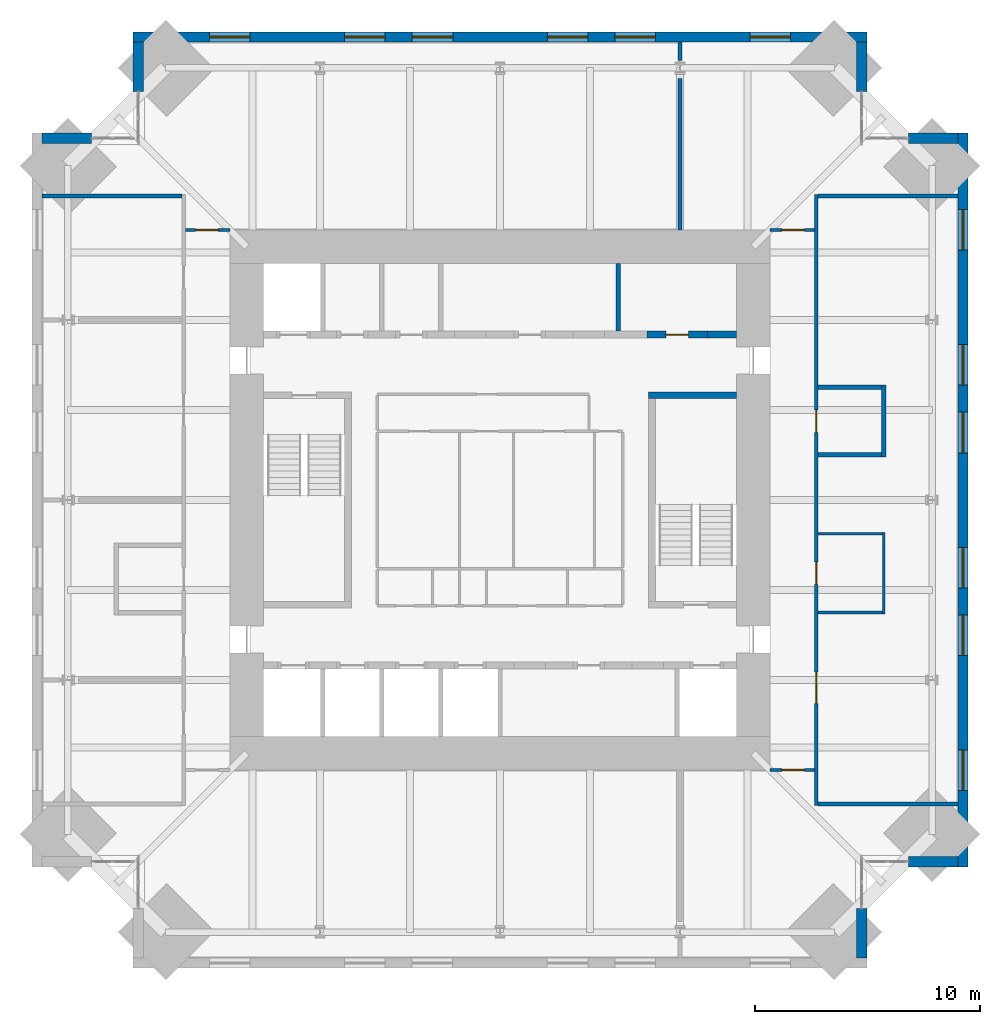
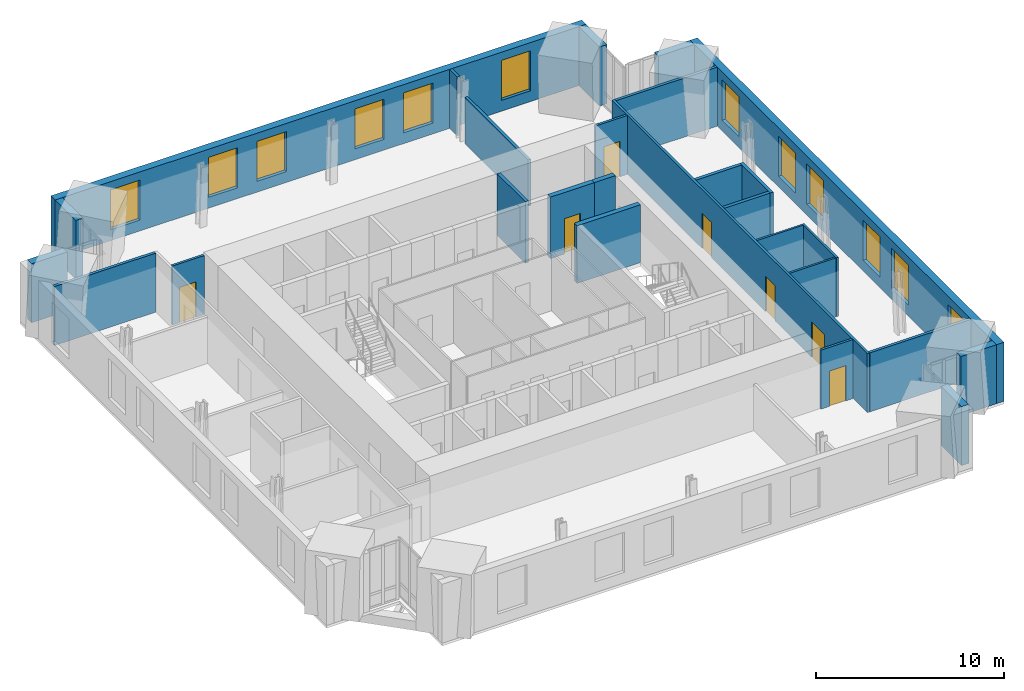
# One storey, part 13 of 15: 27 walls, 12 windows, 7 doors, 19 openings.
"""IFC4 building model written with IfcOpenShell, lengths in metres."""

from ifc_helpers import new_model, si_unit, direction, frame, frame_2d, origin, place, context, subcontext, project, spatial, rectangle, extrude, material, layer, layer_set, type_object, element, fill, save


model = new_model("IFC4")

# Units and contexts
model_context = context("Model", 3, precision=1e-05, world=origin(), true_north=direction((0.0, 1.0)))
body_context = subcontext(model_context, "Body", "Model", "MODEL_VIEW")
ifc_project = project(units=[si_unit("LENGTHUNIT", "METRE"), si_unit("AREAUNIT", "SQUARE_METRE"), si_unit("VOLUMEUNIT", "CUBIC_METRE"), si_unit("PLANEANGLEUNIT", "RADIAN"), si_unit("MASSUNIT", "GRAM", prefix="KILO")], contexts=[model_context])

# Site, building, storey
site_placement = place(None, origin())
site = spatial("IfcSite", under=ifc_project, at=site_placement, CompositionType="ELEMENT")
building_placement = place(site_placement, origin())
building = spatial("IfcBuilding", under=site, at=building_placement, Name="Peilmerk Tower", CompositionType="ELEMENT")
storey_placement = place(building_placement, frame((0.0, 0.0, 289.800048828125)))
storey = spatial("IfcBuildingStorey", under=building, at=storey_placement, Name="L65", CompositionType="ELEMENT", Elevation=289.800048828125)

# Wall, openings, windows
ifc_material_1 = material(Name="Precast concrete C45/55, board-marked finish", Category="concrete")
ifc_layer_1 = layer(ifc_material_1, 0.449951171875)
ifc_layer_set_1 = layer_set([ifc_layer_1], Name="Precast concrete C45/55, board-marked finish")
wall_type_1 = type_object("IfcWallType", Name="EW1 450 precast concrete facade wall, board-marked", PredefinedType="SOLIDWALL", material=ifc_layer_set_1)
wall_1_placement = place(storey_placement, frame((16.300048828125, 20.574951171875, 0.0), z_axis=(0.0, 0.0, 1.0), x_axis=(-1.0, 0.0, 0.0)))
wall_1 = element("IfcWall", 1, at=wall_1_placement, inside=storey, type_object=wall_type_1, Name="Facade wall N L65", PredefinedType="SOLIDWALL", context=body_context, shape_type="SweptSolid", body=[
    extrude(rectangle(XDim=32.60009765625, YDim=0.449951171875, at=frame_2d((16.300048828125, 0.0))), origin(), (0.0, 0.0, 1.0), 3.829833984375),
])
opening_1_placement = place(wall_1_placement, frame((3.39990234375, 0.0, 0.699951171875)))
opening_1 = element("IfcOpeningElement", 2, at=opening_1_placement, cuts=wall_1, Name="Opening W1", PredefinedType="OPENING", context=body_context, shape_type="SweptSolid", body=[
    extrude(rectangle(XDim=1.800048828125, YDim=2.60009765625, at=frame_2d((0.89990234375, 1.300048828125))), frame((0.0, 0.23486328125, 0.0), z_axis=(0.0, -1.0, 0.0), x_axis=(1.0, 0.0, 0.0)), (0.0, 0.0, 1.0), 0.469970703125),
])
opening_2_placement = place(wall_1_placement, frame((9.39990234375, 0.0, 0.699951171875)))
opening_2 = element("IfcOpeningElement", 3, at=opening_2_placement, cuts=wall_1, Name="Opening W1", PredefinedType="OPENING", context=body_context, shape_type="SweptSolid", body=[
    extrude(rectangle(XDim=1.800048828125, YDim=2.60009765625, at=frame_2d((0.89990234375, 1.300048828125))), frame((0.0, 0.23486328125, 0.0), z_axis=(0.0, -1.0, 0.0), x_axis=(1.0, 0.0, 0.0)), (0.0, 0.0, 1.0), 0.469970703125),
])
opening_3_placement = place(wall_1_placement, frame((12.39990234375, 0.0, 0.699951171875)))
opening_3 = element("IfcOpeningElement", 4, at=opening_3_placement, cuts=wall_1, Name="Opening W1", PredefinedType="OPENING", context=body_context, shape_type="SweptSolid", body=[
    extrude(rectangle(XDim=1.800048828125, YDim=2.60009765625, at=frame_2d((0.89990234375, 1.300048828125))), frame((0.0, 0.23486328125, 0.0), z_axis=(0.0, -1.0, 0.0), x_axis=(1.0, 0.0, 0.0)), (0.0, 0.0, 1.0), 0.469970703125),
])
opening_4_placement = place(wall_1_placement, frame((18.39990234375, 0.0, 0.699951171875)))
opening_4 = element("IfcOpeningElement", 5, at=opening_4_placement, cuts=wall_1, Name="Opening W1", PredefinedType="OPENING", context=body_context, shape_type="SweptSolid", body=[
    extrude(rectangle(XDim=1.800048828125, YDim=2.60009765625, at=frame_2d((0.89990234375, 1.300048828125))), frame((0.0, 0.23486328125, 0.0), z_axis=(0.0, -1.0, 0.0), x_axis=(1.0, 0.0, 0.0)), (0.0, 0.0, 1.0), 0.469970703125),
])
opening_5_placement = place(wall_1_placement, frame((21.39990234375, 0.0, 0.699951171875)))
opening_5 = element("IfcOpeningElement", 6, at=opening_5_placement, cuts=wall_1, Name="Opening W1", PredefinedType="OPENING", context=body_context, shape_type="SweptSolid", body=[
    extrude(rectangle(XDim=1.800048828125, YDim=2.60009765625, at=frame_2d((0.89990234375, 1.300048828125))), frame((0.0, 0.23486328125, 0.0), z_axis=(0.0, -1.0, 0.0), x_axis=(1.0, 0.0, 0.0)), (0.0, 0.0, 1.0), 0.469970703125),
])
opening_6_placement = place(wall_1_placement, frame((27.39990234375, 0.0, 0.699951171875)))
opening_6 = element("IfcOpeningElement", 7, at=opening_6_placement, cuts=wall_1, Name="Opening W1", PredefinedType="OPENING", context=body_context, shape_type="SweptSolid", body=[
    extrude(rectangle(XDim=1.800048828125, YDim=2.60009765625, at=frame_2d((0.89990234375, 1.300048828125))), frame((0.0, 0.23486328125, 0.0), z_axis=(0.0, -1.0, 0.0), x_axis=(1.0, 0.0, 0.0)), (0.0, 0.0, 1.0), 0.469970703125),
])
ifc_material_2 = material(Name="Aluminium frame, clear double glazing", Category="aluminium")
window_type = type_object("IfcWindowType", Name="W1 1800x2600 office window", PartitioningType="SINGLE_PANEL", PredefinedType="WINDOW", material=ifc_material_2)
window_1_placement = place(opening_1_placement, origin())
window_1 = element("IfcWindow", 8, at=window_1_placement, inside=storey, type_object=window_type, Name="Window W1 L65", OverallHeight=2.60009765625, OverallWidth=1.800048828125, PartitioningType="SINGLE_PANEL", PredefinedType="WINDOW", context=body_context, shape_type="SweptSolid", body=[
    extrude(rectangle(XDim=1.800048828125, YDim=2.60009765625, at=frame_2d((0.89990234375, 1.300048828125))), frame((0.0, 0.030029296875, 0.0), z_axis=(0.0, -1.0, 0.0), x_axis=(1.0, 0.0, 0.0)), (0.0, 0.0, 1.0), 0.06005859375),
])
fill(opening_1, window_1)
window_2_placement = place(opening_2_placement, origin())
window_2 = element("IfcWindow", 9, at=window_2_placement, inside=storey, type_object=window_type, Name="Window W1 L65", OverallHeight=2.60009765625, OverallWidth=1.800048828125, PartitioningType="SINGLE_PANEL", PredefinedType="WINDOW", context=body_context, shape_type="SweptSolid", body=[
    extrude(rectangle(XDim=1.800048828125, YDim=2.60009765625, at=frame_2d((0.89990234375, 1.300048828125))), frame((0.0, 0.030029296875, 0.0), z_axis=(0.0, -1.0, 0.0), x_axis=(1.0, 0.0, 0.0)), (0.0, 0.0, 1.0), 0.06005859375),
])
fill(opening_2, window_2)
window_3_placement = place(opening_3_placement, origin())
window_3 = element("IfcWindow", 10, at=window_3_placement, inside=storey, type_object=window_type, Name="Window W1 L65", OverallHeight=2.60009765625, OverallWidth=1.800048828125, PartitioningType="SINGLE_PANEL", PredefinedType="WINDOW", context=body_context, shape_type="SweptSolid", body=[
    extrude(rectangle(XDim=1.800048828125, YDim=2.60009765625, at=frame_2d((0.89990234375, 1.300048828125))), frame((0.0, 0.030029296875, 0.0), z_axis=(0.0, -1.0, 0.0), x_axis=(1.0, 0.0, 0.0)), (0.0, 0.0, 1.0), 0.06005859375),
])
fill(opening_3, window_3)
window_4_placement = place(opening_4_placement, origin())
window_4 = element("IfcWindow", 11, at=window_4_placement, inside=storey, type_object=window_type, Name="Window W1 L65", OverallHeight=2.60009765625, OverallWidth=1.800048828125, PartitioningType="SINGLE_PANEL", PredefinedType="WINDOW", context=body_context, shape_type="SweptSolid", body=[
    extrude(rectangle(XDim=1.800048828125, YDim=2.60009765625, at=frame_2d((0.89990234375, 1.300048828125))), frame((0.0, 0.030029296875, 0.0), z_axis=(0.0, -1.0, 0.0), x_axis=(1.0, 0.0, 0.0)), (0.0, 0.0, 1.0), 0.06005859375),
])
fill(opening_4, window_4)
window_5_placement = place(opening_5_placement, origin())
window_5 = element("IfcWindow", 12, at=window_5_placement, inside=storey, type_object=window_type, Name="Window W1 L65", OverallHeight=2.60009765625, OverallWidth=1.800048828125, PartitioningType="SINGLE_PANEL", PredefinedType="WINDOW", context=body_context, shape_type="SweptSolid", body=[
    extrude(rectangle(XDim=1.800048828125, YDim=2.60009765625, at=frame_2d((0.89990234375, 1.300048828125))), frame((0.0, 0.030029296875, 0.0), z_axis=(0.0, -1.0, 0.0), x_axis=(1.0, 0.0, 0.0)), (0.0, 0.0, 1.0), 0.06005859375),
])
fill(opening_5, window_5)
window_6_placement = place(opening_6_placement, origin())
window_6 = element("IfcWindow", 13, at=window_6_placement, inside=storey, type_object=window_type, Name="Window W1 L65", OverallHeight=2.60009765625, OverallWidth=1.800048828125, PartitioningType="SINGLE_PANEL", PredefinedType="WINDOW", context=body_context, shape_type="SweptSolid", body=[
    extrude(rectangle(XDim=1.800048828125, YDim=2.60009765625, at=frame_2d((0.89990234375, 1.300048828125))), frame((0.0, 0.030029296875, 0.0), z_axis=(0.0, -1.0, 0.0), x_axis=(1.0, 0.0, 0.0)), (0.0, 0.0, 1.0), 0.06005859375),
])
fill(opening_6, window_6)

wall_2_placement = place(storey_placement, frame((20.574951171875, -16.300048828125, 0.0), z_axis=(0.0, 0.0, 1.0), x_axis=(0.0, 1.0, 0.0)))
wall_2 = element("IfcWall", 14, at=wall_2_placement, inside=storey, type_object=wall_type_1, Name="Facade wall E L65", PredefinedType="SOLIDWALL", context=body_context, shape_type="SweptSolid", body=[
    extrude(rectangle(XDim=32.60009765625, YDim=0.449951171875, at=frame_2d((16.300048828125, 0.0))), origin(), (0.0, 0.0, 1.0), 3.829833984375),
])
opening_7_placement = place(wall_2_placement, frame((3.39990234375, 0.0, 0.699951171875)))
opening_7 = element("IfcOpeningElement", 15, at=opening_7_placement, cuts=wall_2, Name="Opening W1", PredefinedType="OPENING", context=body_context, shape_type="SweptSolid", body=[
    extrude(rectangle(XDim=1.800048828125, YDim=2.60009765625, at=frame_2d((0.89990234375, 1.300048828125))), frame((0.0, 0.23486328125, 0.0), z_axis=(0.0, -1.0, 0.0), x_axis=(1.0, 0.0, 0.0)), (0.0, 0.0, 1.0), 0.469970703125),
])
opening_8_placement = place(wall_2_placement, frame((9.39990234375, 0.0, 0.699951171875)))
opening_8 = element("IfcOpeningElement", 16, at=opening_8_placement, cuts=wall_2, Name="Opening W1", PredefinedType="OPENING", context=body_context, shape_type="SweptSolid", body=[
    extrude(rectangle(XDim=1.800048828125, YDim=2.60009765625, at=frame_2d((0.89990234375, 1.300048828125))), frame((0.0, 0.23486328125, 0.0), z_axis=(0.0, -1.0, 0.0), x_axis=(1.0, 0.0, 0.0)), (0.0, 0.0, 1.0), 0.469970703125),
])
opening_9_placement = place(wall_2_placement, frame((12.39990234375, 0.0, 0.699951171875)))
opening_9 = element("IfcOpeningElement", 17, at=opening_9_placement, cuts=wall_2, Name="Opening W1", PredefinedType="OPENING", context=body_context, shape_type="SweptSolid", body=[
    extrude(rectangle(XDim=1.800048828125, YDim=2.60009765625, at=frame_2d((0.89990234375, 1.300048828125))), frame((0.0, 0.23486328125, 0.0), z_axis=(0.0, -1.0, 0.0), x_axis=(1.0, 0.0, 0.0)), (0.0, 0.0, 1.0), 0.469970703125),
])
opening_10_placement = place(wall_2_placement, frame((18.39990234375, 0.0, 0.699951171875)))
opening_10 = element("IfcOpeningElement", 18, at=opening_10_placement, cuts=wall_2, Name="Opening W1", PredefinedType="OPENING", context=body_context, shape_type="SweptSolid", body=[
    extrude(rectangle(XDim=1.800048828125, YDim=2.60009765625, at=frame_2d((0.89990234375, 1.300048828125))), frame((0.0, 0.23486328125, 0.0), z_axis=(0.0, -1.0, 0.0), x_axis=(1.0, 0.0, 0.0)), (0.0, 0.0, 1.0), 0.469970703125),
])
opening_11_placement = place(wall_2_placement, frame((21.39990234375, 0.0, 0.699951171875)))
opening_11 = element("IfcOpeningElement", 19, at=opening_11_placement, cuts=wall_2, Name="Opening W1", PredefinedType="OPENING", context=body_context, shape_type="SweptSolid", body=[
    extrude(rectangle(XDim=1.800048828125, YDim=2.60009765625, at=frame_2d((0.89990234375, 1.300048828125))), frame((0.0, 0.23486328125, 0.0), z_axis=(0.0, -1.0, 0.0), x_axis=(1.0, 0.0, 0.0)), (0.0, 0.0, 1.0), 0.469970703125),
])
opening_12_placement = place(wall_2_placement, frame((27.39990234375, 0.0, 0.699951171875)))
opening_12 = element("IfcOpeningElement", 20, at=opening_12_placement, cuts=wall_2, Name="Opening W1", PredefinedType="OPENING", context=body_context, shape_type="SweptSolid", body=[
    extrude(rectangle(XDim=1.800048828125, YDim=2.60009765625, at=frame_2d((0.89990234375, 1.300048828125))), frame((0.0, 0.23486328125, 0.0), z_axis=(0.0, -1.0, 0.0), x_axis=(1.0, 0.0, 0.0)), (0.0, 0.0, 1.0), 0.469970703125),
])
window_7_placement = place(opening_7_placement, origin())
window_7 = element("IfcWindow", 21, at=window_7_placement, inside=storey, type_object=window_type, Name="Window W1 L65", OverallHeight=2.60009765625, OverallWidth=1.800048828125, PartitioningType="SINGLE_PANEL", PredefinedType="WINDOW", context=body_context, shape_type="SweptSolid", body=[
    extrude(rectangle(XDim=1.800048828125, YDim=2.60009765625, at=frame_2d((0.89990234375, 1.300048828125))), frame((0.0, 0.030029296875, 0.0), z_axis=(0.0, -1.0, 0.0), x_axis=(1.0, 0.0, 0.0)), (0.0, 0.0, 1.0), 0.06005859375),
])
fill(opening_7, window_7)
window_8_placement = place(opening_8_placement, origin())
window_8 = element("IfcWindow", 22, at=window_8_placement, inside=storey, type_object=window_type, Name="Window W1 L65", OverallHeight=2.60009765625, OverallWidth=1.800048828125, PartitioningType="SINGLE_PANEL", PredefinedType="WINDOW", context=body_context, shape_type="SweptSolid", body=[
    extrude(rectangle(XDim=1.800048828125, YDim=2.60009765625, at=frame_2d((0.89990234375, 1.300048828125))), frame((0.0, 0.030029296875, 0.0), z_axis=(0.0, -1.0, 0.0), x_axis=(1.0, 0.0, 0.0)), (0.0, 0.0, 1.0), 0.06005859375),
])
fill(opening_8, window_8)
window_9_placement = place(opening_9_placement, origin())
window_9 = element("IfcWindow", 23, at=window_9_placement, inside=storey, type_object=window_type, Name="Window W1 L65", OverallHeight=2.60009765625, OverallWidth=1.800048828125, PartitioningType="SINGLE_PANEL", PredefinedType="WINDOW", context=body_context, shape_type="SweptSolid", body=[
    extrude(rectangle(XDim=1.800048828125, YDim=2.60009765625, at=frame_2d((0.89990234375, 1.300048828125))), frame((0.0, 0.030029296875, 0.0), z_axis=(0.0, -1.0, 0.0), x_axis=(1.0, 0.0, 0.0)), (0.0, 0.0, 1.0), 0.06005859375),
])
fill(opening_9, window_9)
window_10_placement = place(opening_10_placement, origin())
window_10 = element("IfcWindow", 24, at=window_10_placement, inside=storey, type_object=window_type, Name="Window W1 L65", OverallHeight=2.60009765625, OverallWidth=1.800048828125, PartitioningType="SINGLE_PANEL", PredefinedType="WINDOW", context=body_context, shape_type="SweptSolid", body=[
    extrude(rectangle(XDim=1.800048828125, YDim=2.60009765625, at=frame_2d((0.89990234375, 1.300048828125))), frame((0.0, 0.030029296875, 0.0), z_axis=(0.0, -1.0, 0.0), x_axis=(1.0, 0.0, 0.0)), (0.0, 0.0, 1.0), 0.06005859375),
])
fill(opening_10, window_10)
window_11_placement = place(opening_11_placement, origin())
window_11 = element("IfcWindow", 25, at=window_11_placement, inside=storey, type_object=window_type, Name="Window W1 L65", OverallHeight=2.60009765625, OverallWidth=1.800048828125, PartitioningType="SINGLE_PANEL", PredefinedType="WINDOW", context=body_context, shape_type="SweptSolid", body=[
    extrude(rectangle(XDim=1.800048828125, YDim=2.60009765625, at=frame_2d((0.89990234375, 1.300048828125))), frame((0.0, 0.030029296875, 0.0), z_axis=(0.0, -1.0, 0.0), x_axis=(1.0, 0.0, 0.0)), (0.0, 0.0, 1.0), 0.06005859375),
])
fill(opening_11, window_11)
window_12_placement = place(opening_12_placement, origin())
window_12 = element("IfcWindow", 26, at=window_12_placement, inside=storey, type_object=window_type, Name="Window W1 L65", OverallHeight=2.60009765625, OverallWidth=1.800048828125, PartitioningType="SINGLE_PANEL", PredefinedType="WINDOW", context=body_context, shape_type="SweptSolid", body=[
    extrude(rectangle(XDim=1.800048828125, YDim=2.60009765625, at=frame_2d((0.89990234375, 1.300048828125))), frame((0.0, 0.030029296875, 0.0), z_axis=(0.0, -1.0, 0.0), x_axis=(1.0, 0.0, 0.0)), (0.0, 0.0, 1.0), 0.06005859375),
])
fill(opening_12, window_12)

# Walls
for number, where, z_axis, x_axis, name in (
    (27, (16.074951171875, 18.153564453125, 0.0), (0.0, 0.0, 1.0), (0.0, 1.0, 0.0), "Facade wall NEA L65"),
    (28, (18.153564453125, 16.074951171875, 0.0), (0.0, 0.0, 1.0), (1.0, 0.0, 0.0), "Facade wall NEB L65"),
    (29, (16.074951171875, -18.153564453125, 0.0), (0.0, 0.0, 1.0), (0.0, -1.0, 0.0), "Facade wall SEA L65"),
    (30, (18.153564453125, -16.074951171875, 0.0), (0.0, 0.0, 1.0), (1.0, 0.0, 0.0), "Facade wall SEB L65"),
    (31, (-16.074951171875, 18.153564453125, 0.0), (0.0, 0.0, 1.0), (0.0, 1.0, 0.0), "Facade wall NWA L65"),
    (32, (-18.153564453125, 16.074951171875, 0.0), (0.0, 0.0, 1.0), (-1.0, 0.0, 0.0), "Facade wall NWB L65"),
):
    element("IfcWall", number, at=place(storey_placement, frame(where, z_axis=z_axis, x_axis=x_axis)), inside=storey, type_object=wall_type_1, Name=name, PredefinedType="SOLIDWALL", context=body_context, shape_type="SweptSolid", body=[
        extrude(rectangle(XDim=2.196533203125, YDim=0.449951171875, at=frame_2d((1.09814453125, 0.0))), origin(), (0.0, 0.0, 1.0), 3.829833984375),
    ])

# Wall, openings, doors
ifc_material_3 = material(Name="Calcium silicate block", Category="masonry")
ifc_layer_2 = layer(ifc_material_3, 0.14990234375)
ifc_layer_set_2 = layer_set([ifc_layer_2], Name="Calcium silicate block")
wall_type_2 = type_object("IfcWallType", Name="IW1 150 corridor partition, EI 60", PredefinedType="PARTITIONING", material=ifc_layer_set_2)
wall_3_placement = place(storey_placement, frame((14.050048828125, -13.574951171875, 0.0), z_axis=(0.0, 0.0, 1.0), x_axis=(0.0, 1.0, 0.0)))
wall_3 = element("IfcWall", 33, at=wall_3_placement, inside=storey, type_object=wall_type_2, Name="Corridor wall E L65", PredefinedType="PARTITIONING", context=body_context, shape_type="SweptSolid", body=[
    extrude(rectangle(XDim=27.14990234375, YDim=0.14990234375, at=frame_2d((13.574951171875, 0.0))), origin(), (0.0, 0.0, 1.0), 3.829833984375),
])
opening_13_placement = place(wall_3_placement, frame((4.52490234375, 0.0, 0.0)))
opening_13 = element("IfcOpeningElement", 34, at=opening_13_placement, cuts=wall_3, Name="Opening D8", PredefinedType="OPENING", context=body_context, shape_type="SweptSolid", body=[
    extrude(rectangle(XDim=1.39990234375, YDim=2.300048828125, at=frame_2d((0.699951171875, 1.14990234375))), frame((0.0, 0.0849609375, 0.0), z_axis=(0.0, -1.0, 0.0), x_axis=(1.0, 0.0, 0.0)), (0.0, 0.0, 1.0), 0.169921875),
])
opening_14_placement = place(wall_3_placement, frame((9.824951171875, 0.0, 0.0)))
opening_14 = element("IfcOpeningElement", 35, at=opening_14_placement, cuts=wall_3, Name="Opening D1", PredefinedType="OPENING", context=body_context, shape_type="SweptSolid", body=[
    extrude(rectangle(XDim=1.0, YDim=2.300048828125, at=frame_2d((0.5, 1.14990234375))), frame((0.0, 0.0849609375, 0.0), z_axis=(0.0, -1.0, 0.0), x_axis=(1.0, 0.0, 0.0)), (0.0, 0.0, 1.0), 0.169921875),
])
opening_15_placement = place(wall_3_placement, frame((16.574951171875, 0.0, 0.0)))
opening_15 = element("IfcOpeningElement", 36, at=opening_15_placement, cuts=wall_3, Name="Opening D1", PredefinedType="OPENING", context=body_context, shape_type="SweptSolid", body=[
    extrude(rectangle(XDim=1.0, YDim=2.300048828125, at=frame_2d((0.5, 1.14990234375))), frame((0.0, 0.0849609375, 0.0), z_axis=(0.0, -1.0, 0.0), x_axis=(1.0, 0.0, 0.0)), (0.0, 0.0, 1.0), 0.169921875),
])
ifc_material_4 = material(Name="Timber door in steel frame", Category="steel")
door_type_1 = type_object("IfcDoorType", Name="D1 1000x2300 room door, EI2 30", OperationType="SINGLE_SWING_LEFT", PredefinedType="DOOR", material=ifc_material_4)
door_1_placement = place(opening_14_placement, frame((1.0, 0.0, 0.0), z_axis=(0.0, 0.0, 1.0), x_axis=(-1.0, 0.0, 0.0)))
door_1 = element("IfcDoor", 37, at=door_1_placement, inside=storey, type_object=door_type_1, Name="Door Pantry L65", OperationType="SINGLE_SWING_LEFT", OverallHeight=2.300048828125, OverallWidth=1.0, PredefinedType="DOOR", context=body_context, shape_type="SweptSolid", body=[
    extrude(rectangle(XDim=1.0, YDim=2.300048828125, at=frame_2d((0.5, 1.14990234375))), frame((0.0, 0.02490234375, 0.0), z_axis=(0.0, -1.0, 0.0), x_axis=(1.0, 0.0, 0.0)), (0.0, 0.0, 1.0), 0.050048828125),
])
fill(opening_14, door_1)
door_2_placement = place(opening_15_placement, frame((1.0, 0.0, 0.0), z_axis=(0.0, 0.0, 1.0), x_axis=(-1.0, 0.0, 0.0)))
door_2 = element("IfcDoor", 38, at=door_2_placement, inside=storey, type_object=door_type_1, Name="Door AV control room L65", OperationType="SINGLE_SWING_LEFT", OverallHeight=2.300048828125, OverallWidth=1.0, PredefinedType="DOOR", context=body_context, shape_type="SweptSolid", body=[
    extrude(rectangle(XDim=1.0, YDim=2.300048828125, at=frame_2d((0.5, 1.14990234375))), frame((0.0, 0.02490234375, 0.0), z_axis=(0.0, -1.0, 0.0), x_axis=(1.0, 0.0, 0.0)), (0.0, 0.0, 1.0), 0.050048828125),
])
fill(opening_15, door_2)
door_type_2 = type_object("IfcDoorType", Name="D8 1400x2300 leaf-and-a-half door, EI2 30", OperationType="DOUBLE_DOOR_SINGLE_SWING", PredefinedType="DOOR", material=ifc_material_4)
door_3_placement = place(opening_13_placement, frame((1.39990234375, 0.0, 0.0), z_axis=(0.0, 0.0, 1.0), x_axis=(-1.0, 0.0, 0.0)))
door_3 = element("IfcDoor", 39, at=door_3_placement, inside=storey, type_object=door_type_2, Name="Door Client suite L65", OperationType="DOUBLE_DOOR_SINGLE_SWING", OverallHeight=2.300048828125, OverallWidth=1.39990234375, PredefinedType="DOOR", context=body_context, shape_type="SweptSolid", body=[
    extrude(rectangle(XDim=1.39990234375, YDim=2.300048828125, at=frame_2d((0.699951171875, 1.14990234375))), frame((0.0, 0.02490234375, 0.0), z_axis=(0.0, -1.0, 0.0), x_axis=(1.0, 0.0, 0.0)), (0.0, 0.0, 1.0), 0.050048828125),
])
fill(opening_13, door_3)

# Wall, opening, door
wall_4_placement = place(storey_placement, frame((12.0, 12.0, 0.0), z_axis=(0.0, 0.0, 1.0), x_axis=(1.0, 0.0, 0.0)))
wall_4 = element("IfcWall", 40, at=wall_4_placement, inside=storey, type_object=wall_type_2, Name="Corridor wall NE L65", PredefinedType="PARTITIONING", context=body_context, shape_type="SweptSolid", body=[
    extrude(rectangle(XDim=1.97509765625, YDim=0.14990234375, at=frame_2d((0.987548828125, 0.0))), origin(), (0.0, 0.0, 1.0), 3.829833984375),
])
opening_16_placement = place(wall_4_placement, frame((0.52490234375, 0.0, 0.0)))
opening_16 = element("IfcOpeningElement", 41, at=opening_16_placement, cuts=wall_4, Name="Opening D1", PredefinedType="OPENING", context=body_context, shape_type="SweptSolid", body=[
    extrude(rectangle(XDim=1.0, YDim=2.300048828125, at=frame_2d((0.5, 1.14990234375))), frame((0.0, 0.0849609375, 0.0), z_axis=(0.0, -1.0, 0.0), x_axis=(1.0, 0.0, 0.0)), (0.0, 0.0, 1.0), 0.169921875),
])
door_4_placement = place(opening_16_placement, origin())
door_4 = element("IfcDoor", 42, at=door_4_placement, inside=storey, type_object=door_type_1, Name="Door Team workspace L65", OperationType="SINGLE_SWING_LEFT", OverallHeight=2.300048828125, OverallWidth=1.0, PredefinedType="DOOR", context=body_context, shape_type="SweptSolid", body=[
    extrude(rectangle(XDim=1.0, YDim=2.300048828125, at=frame_2d((0.5, 1.14990234375))), frame((0.0, 0.02490234375, 0.0), z_axis=(0.0, -1.0, 0.0), x_axis=(1.0, 0.0, 0.0)), (0.0, 0.0, 1.0), 0.050048828125),
])
fill(opening_16, door_4)

wall_5_placement = place(storey_placement, frame((-13.97509765625, 12.0, 0.0), z_axis=(0.0, 0.0, 1.0), x_axis=(1.0, 0.0, 0.0)))
wall_5 = element("IfcWall", 43, at=wall_5_placement, inside=storey, type_object=wall_type_2, Name="Corridor wall NW L65", PredefinedType="PARTITIONING", context=body_context, shape_type="SweptSolid", body=[
    extrude(rectangle(XDim=1.97509765625, YDim=0.14990234375, at=frame_2d((0.987548828125, 0.0))), origin(), (0.0, 0.0, 1.0), 3.829833984375),
])
opening_17_placement = place(wall_5_placement, frame((0.449951171875, 0.0, 0.0)))
opening_17 = element("IfcOpeningElement", 44, at=opening_17_placement, cuts=wall_5, Name="Opening D1", PredefinedType="OPENING", context=body_context, shape_type="SweptSolid", body=[
    extrude(rectangle(XDim=1.0, YDim=2.300048828125, at=frame_2d((0.5, 1.14990234375))), frame((0.0, 0.0849609375, 0.0), z_axis=(0.0, -1.0, 0.0), x_axis=(1.0, 0.0, 0.0)), (0.0, 0.0, 1.0), 0.169921875),
])
door_5_placement = place(opening_17_placement, origin())
door_5 = element("IfcDoor", 45, at=door_5_placement, inside=storey, type_object=door_type_1, Name="Door Open workspace L65", OperationType="SINGLE_SWING_LEFT", OverallHeight=2.300048828125, OverallWidth=1.0, PredefinedType="DOOR", context=body_context, shape_type="SweptSolid", body=[
    extrude(rectangle(XDim=1.0, YDim=2.300048828125, at=frame_2d((0.5, 1.14990234375))), frame((0.0, 0.02490234375, 0.0), z_axis=(0.0, -1.0, 0.0), x_axis=(1.0, 0.0, 0.0)), (0.0, 0.0, 1.0), 0.050048828125),
])
fill(opening_17, door_5)

wall_6_placement = place(storey_placement, frame((13.97509765625, -12.0, 0.0), z_axis=(0.0, 0.0, 1.0), x_axis=(-1.0, 0.0, 0.0)))
wall_6 = element("IfcWall", 46, at=wall_6_placement, inside=storey, type_object=wall_type_2, Name="Corridor wall SE L65", PredefinedType="PARTITIONING", context=body_context, shape_type="SweptSolid", body=[
    extrude(rectangle(XDim=1.97509765625, YDim=0.14990234375, at=frame_2d((0.987548828125, 0.0))), origin(), (0.0, 0.0, 1.0), 3.829833984375),
])
opening_18_placement = place(wall_6_placement, frame((0.449951171875, 0.0, 0.0)))
opening_18 = element("IfcOpeningElement", 47, at=opening_18_placement, cuts=wall_6, Name="Opening D1", PredefinedType="OPENING", context=body_context, shape_type="SweptSolid", body=[
    extrude(rectangle(XDim=1.0, YDim=2.300048828125, at=frame_2d((0.5, 1.14990234375))), frame((0.0, 0.0849609375, 0.0), z_axis=(0.0, -1.0, 0.0), x_axis=(1.0, 0.0, 0.0)), (0.0, 0.0, 1.0), 0.169921875),
])
door_6_placement = place(opening_18_placement, origin())
door_6 = element("IfcDoor", 48, at=door_6_placement, inside=storey, type_object=door_type_1, Name="Door Office L65", OperationType="SINGLE_SWING_LEFT", OverallHeight=2.300048828125, OverallWidth=1.0, PredefinedType="DOOR", context=body_context, shape_type="SweptSolid", body=[
    extrude(rectangle(XDim=1.0, YDim=2.300048828125, at=frame_2d((0.5, 1.14990234375))), frame((0.0, 0.02490234375, 0.0), z_axis=(0.0, -1.0, 0.0), x_axis=(1.0, 0.0, 0.0)), (0.0, 0.0, 1.0), 0.050048828125),
])
fill(opening_18, door_6)

# Walls
ifc_layer_3 = layer(ifc_material_3, 0.199951171875)
ifc_layer_set_3 = layer_set([ifc_layer_3], Name="Calcium silicate block")
wall_type_3 = type_object("IfcWallType", Name="IW2 200 room separating wall, EI 120", PredefinedType="PARTITIONING", material=ifc_layer_set_3)
wall_7_placement = place(storey_placement, frame((17.050048828125, 1.89990234375, 0.0), z_axis=(0.0, 0.0, 1.0), x_axis=(0.0, 1.0, 0.0)))
element("IfcWall", 49, at=wall_7_placement, inside=storey, type_object=wall_type_3, Name="Room separating wall AV control room L65", PredefinedType="PARTITIONING", context=body_context, shape_type="SweptSolid", body=[
    extrude(rectangle(XDim=3.2001953125, YDim=0.199951171875, at=frame_2d((1.60009765625, 0.0))), origin(), (0.0, 0.0, 1.0), 3.829833984375),
])
for number, where, z_axis, x_axis, name in (
    (50, (14.125, 2.0, 0.0), (0.0, 0.0, 1.0), (1.0, 0.0, 0.0), "Room separating wall AV control room L65"),
    (51, (14.125, 5.0, 0.0), (0.0, 0.0, 1.0), (1.0, 0.0, 0.0), "Room separating wall AV control room L65"),
):
    element("IfcWall", number, at=place(storey_placement, frame(where, z_axis=z_axis, x_axis=x_axis)), inside=storey, type_object=wall_type_3, Name=name, PredefinedType="PARTITIONING", context=body_context, shape_type="SweptSolid", body=[
        extrude(rectangle(XDim=2.824951171875, YDim=0.199951171875, at=frame_2d((1.41259765625, 0.0))), origin(), (0.0, 0.0, 1.0), 3.829833984375),
    ])
ifc_material_5 = material(Name="Concrete C35/45", Category="concrete")
ifc_layer_4 = layer(ifc_material_5, 0.300048828125)
ifc_layer_set_4 = layer_set([ifc_layer_4], Name="Concrete C35/45")
wall_type_4 = type_object("IfcWallType", Name="IW3 300 concrete stair enclosure wall, EI 120", PredefinedType="SOLIDWALL", material=ifc_layer_set_4)
wall_8_placement = place(storey_placement, frame((6.60009765625, 4.64990234375, 0.0), z_axis=(0.0, 0.0, 1.0), x_axis=(1.0, 0.0, 0.0)))
element("IfcWall", 52, at=wall_8_placement, inside=storey, type_object=wall_type_4, Name="Stair 2 enclosure L65", PredefinedType="SOLIDWALL", context=body_context, shape_type="SweptSolid", body=[
    extrude(rectangle(XDim=3.89990234375, YDim=0.300048828125, at=frame_2d((1.949951171875, 0.0))), origin(), (0.0, 0.0, 1.0), 3.75),
])
ifc_material_6 = material(Name="Plasterboard on steel studs, double boarded with mineral wool", Category="steel")
ifc_layer_5 = layer(ifc_material_6, 0.125)
ifc_layer_set_5 = layer_set([ifc_layer_5], Name="Plasterboard on steel studs, double boarded with mineral wool")
wall_type_5 = type_object("IfcWallType", Name="IW7 125 acoustic partition, EI 30", PredefinedType="PARTITIONING", material=ifc_layer_set_5)
wall_9_placement = place(storey_placement, frame((17.050048828125, -5.0625, 0.0), z_axis=(0.0, 0.0, 1.0), x_axis=(0.0, 1.0, 0.0)))
element("IfcWall", 53, at=wall_9_placement, inside=storey, type_object=wall_type_5, Name="Acoustic partition Pantry L65", PredefinedType="PARTITIONING", context=body_context, shape_type="SweptSolid", body=[
    extrude(rectangle(XDim=3.625, YDim=0.125, at=frame_2d((1.8125, 0.0))), origin(), (0.0, 0.0, 1.0), 3.829833984375),
])
for number, where, z_axis, x_axis, name in (
    (54, (14.125, -5.0, 0.0), (0.0, 0.0, 1.0), (1.0, 0.0, 0.0), "Acoustic partition Pantry L65"),
    (55, (14.125, -1.5, 0.0), (0.0, 0.0, 1.0), (1.0, 0.0, 0.0), "Acoustic partition Pantry L65"),
):
    element("IfcWall", number, at=place(storey_placement, frame(where, z_axis=z_axis, x_axis=x_axis)), inside=storey, type_object=wall_type_5, Name=name, PredefinedType="PARTITIONING", context=body_context, shape_type="SweptSolid", body=[
        extrude(rectangle(XDim=2.862548828125, YDim=0.125, at=frame_2d((1.43115234375, 0.0))), origin(), (0.0, 0.0, 1.0), 3.829833984375),
    ])
ifc_layer_6 = layer(ifc_material_3, 0.175048828125)
ifc_layer_set_6 = layer_set([ifc_layer_6], Name="Calcium silicate block")
wall_type_6 = type_object("IfcWallType", Name="IW8 175 tenant separating wall, EI 60", PredefinedType="PARTITIONING", material=ifc_layer_set_6)
for number, where, z_axis, x_axis, name in (
    (56, (14.125, 13.5, 0.0), (0.0, 0.0, 1.0), (1.0, 0.0, 0.0), "Tenant separating wall NE L65"),
    (57, (-20.35009765625, 13.5, 0.0), (0.0, 0.0, 1.0), (1.0, 0.0, 0.0), "Tenant separating wall NW L65"),
    (58, (20.35009765625, -13.5, 0.0), (0.0, 0.0, 1.0), (-1.0, 0.0, 0.0), "Tenant separating wall SE L65"),
):
    element("IfcWall", number, at=place(storey_placement, frame(where, z_axis=z_axis, x_axis=x_axis)), inside=storey, type_object=wall_type_6, Name=name, PredefinedType="PARTITIONING", context=body_context, shape_type="SweptSolid", body=[
        extrude(rectangle(XDim=6.22509765625, YDim=0.175048828125, at=frame_2d((3.112548828125, 0.0))), origin(), (0.0, 0.0, 1.0), 3.829833984375),
    ])
wall_10_placement = place(storey_placement, frame((8.0, 12.0, 0.0), z_axis=(0.0, 0.0, 1.0), x_axis=(0.0, 1.0, 0.0)))
element("IfcWall", 59, at=wall_10_placement, inside=storey, type_object=wall_type_6, Name="Tenant separating wall N1 L65", PredefinedType="PARTITIONING", context=body_context, shape_type="SweptSolid", body=[
    extrude(rectangle(XDim=6.720458984375, YDim=0.175048828125, at=frame_2d((3.3603515625, 0.0))), origin(), (0.0, 0.0, 1.0), 3.015869140625),
])
wall_11_placement = place(storey_placement, frame((8.0, 19.541015625, 0.0), z_axis=(0.0, 0.0, 1.0), x_axis=(0.0, 1.0, 0.0)))
element("IfcWall", 60, at=wall_11_placement, inside=storey, type_object=wall_type_6, Name="Tenant separating wall N1b L65", PredefinedType="PARTITIONING", context=body_context, shape_type="SweptSolid", body=[
    extrude(rectangle(XDim=0.80908203125, YDim=0.175048828125, at=frame_2d((0.404541015625, 0.0))), origin(), (0.0, 0.0, 1.0), 3.829833984375),
])
ifc_layer_7 = layer(ifc_material_3, 0.199951171875)
ifc_layer_set_7 = layer_set([ifc_layer_7], Name="Calcium silicate block")
wall_type_7 = type_object("IfcWallType", Name="SH1 200 shaft dividing wall, EI 120", PredefinedType="PARTITIONING", material=ifc_layer_set_7)
wall_12_placement = place(storey_placement, frame((5.25, 7.5, 0.0), z_axis=(0.0, 0.0, 1.0), x_axis=(0.0, 1.0, 0.0)))
element("IfcWall", 61, at=wall_12_placement, inside=storey, type_object=wall_type_7, Name="Shaft wall N S2 L65", PredefinedType="PARTITIONING", context=body_context, shape_type="SweptSolid", body=[
    extrude(rectangle(XDim=3.0, YDim=0.199951171875, at=frame_2d((1.5, 0.0))), origin(), (0.0, 0.0, 1.0), 4.0),
])

# Wall, opening, door
ifc_layer_8 = layer(ifc_material_3, 0.300048828125)
ifc_layer_set_8 = layer_set([ifc_layer_8], Name="Calcium silicate block")
wall_type_8 = type_object("IfcWallType", Name="SH2 300 lift landing door panel, EI 120", PredefinedType="PARTITIONING", material=ifc_layer_set_8)
wall_13_placement = place(storey_placement, frame((6.52490234375, 7.35009765625, 0.0), z_axis=(0.0, 0.0, 1.0), x_axis=(1.0, 0.0, 0.0)))
wall_13 = element("IfcWall", 62, at=wall_13_placement, inside=storey, type_object=wall_type_8, Name="Lift door panel N GL1 L65", PredefinedType="PARTITIONING", context=body_context, shape_type="SweptSolid", body=[
    extrude(rectangle(XDim=2.7001953125, YDim=0.300048828125, at=frame_2d((1.35009765625, 0.0))), origin(), (0.0, 0.0, 1.0), 4.0),
])
opening_19_placement = place(wall_13_placement, frame((0.85009765625, 0.0, 0.0)))
opening_19 = element("IfcOpeningElement", 63, at=opening_19_placement, cuts=wall_13, Name="Opening D10", PredefinedType="OPENING", context=body_context, shape_type="SweptSolid", body=[
    extrude(rectangle(XDim=1.0, YDim=2.300048828125, at=frame_2d((0.5, 1.14990234375))), frame((0.0, 0.159912109375, 0.0), z_axis=(0.0, -1.0, 0.0), x_axis=(1.0, 0.0, 0.0)), (0.0, 0.0, 1.0), 0.320068359375),
])
ifc_material_7 = material(Name="Steel door in steel frame", Category="steel")
door_type_3 = type_object("IfcDoorType", Name="D10 1000x2300 core room door, EI2 60", OperationType="SINGLE_SWING_RIGHT", PredefinedType="DOOR", material=ifc_material_7)
door_7_placement = place(opening_19_placement, origin())
door_7 = element("IfcDoor", 64, at=door_7_placement, inside=storey, type_object=door_type_3, Name="Door IT room L65", OperationType="SINGLE_SWING_RIGHT", OverallHeight=2.300048828125, OverallWidth=1.0, PredefinedType="DOOR", context=body_context, shape_type="SweptSolid", body=[
    extrude(rectangle(XDim=1.0, YDim=2.300048828125, at=frame_2d((0.5, 1.14990234375))), frame((0.0, 0.02490234375, 0.0), z_axis=(0.0, -1.0, 0.0), x_axis=(1.0, 0.0, 0.0)), (0.0, 0.0, 1.0), 0.050048828125),
])
fill(opening_19, door_7)

# Wall
ifc_material_8 = material(Name="Concrete C55/67", Category="concrete")
ifc_layer_9 = layer(ifc_material_8, 0.300048828125)
ifc_layer_set_9 = layer_set([ifc_layer_9], Name="Concrete C55/67")
wall_type_9 = type_object("IfcWallType", Name="SW2 300 lift bank pier", PredefinedType="SHEAR", material=ifc_layer_set_9)
wall_14_placement = place(storey_placement, frame((9.22509765625, 7.35009765625, 0.0), z_axis=(0.0, 0.0, 1.0), x_axis=(1.0, 0.0, 0.0)))
element("IfcWall", 65, at=wall_14_placement, inside=storey, type_object=wall_type_9, Name="Lift bank pier N L65", PredefinedType="SHEAR", context=body_context, shape_type="SweptSolid", body=[
    extrude(rectangle(XDim=1.27490234375, YDim=0.300048828125, at=frame_2d((0.637451171875, 0.0))), origin(), (0.0, 0.0, 1.0), 4.0),
])

save(model, "model.ifc")
